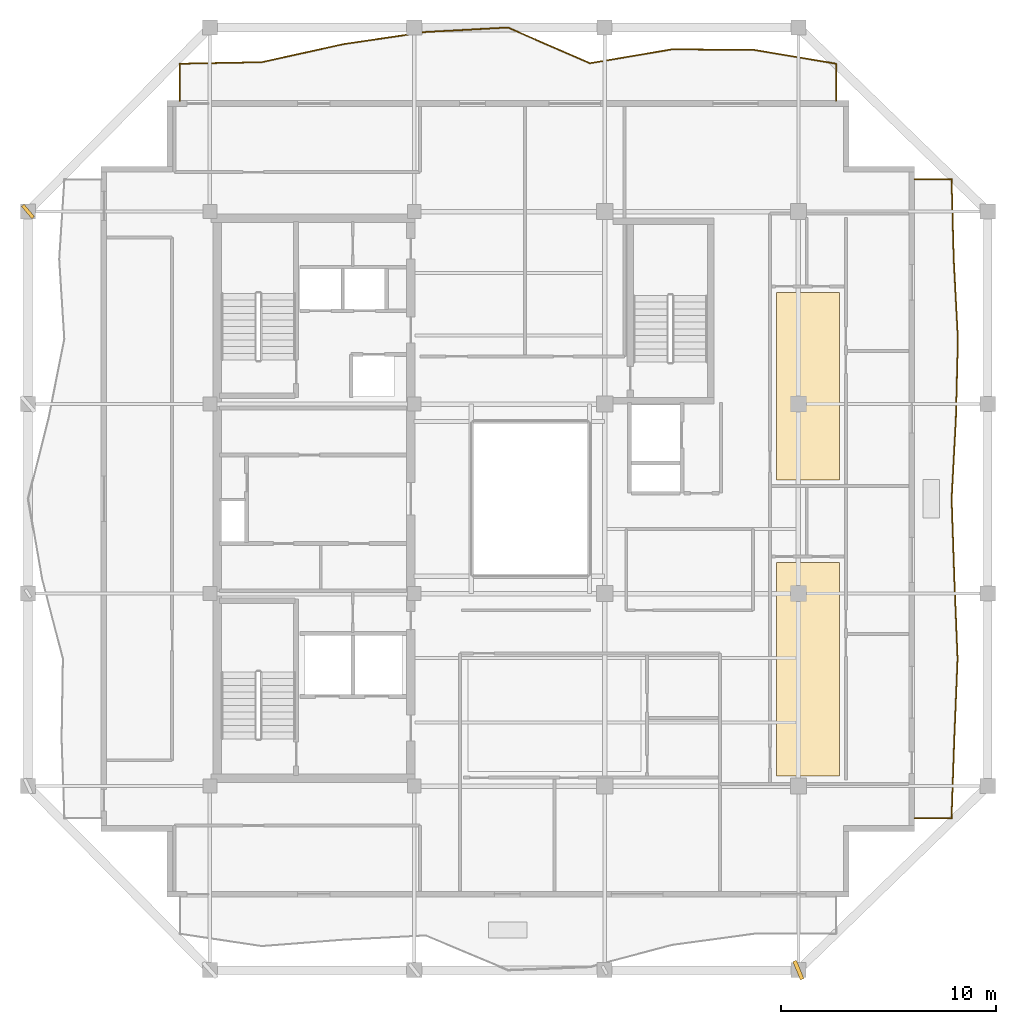
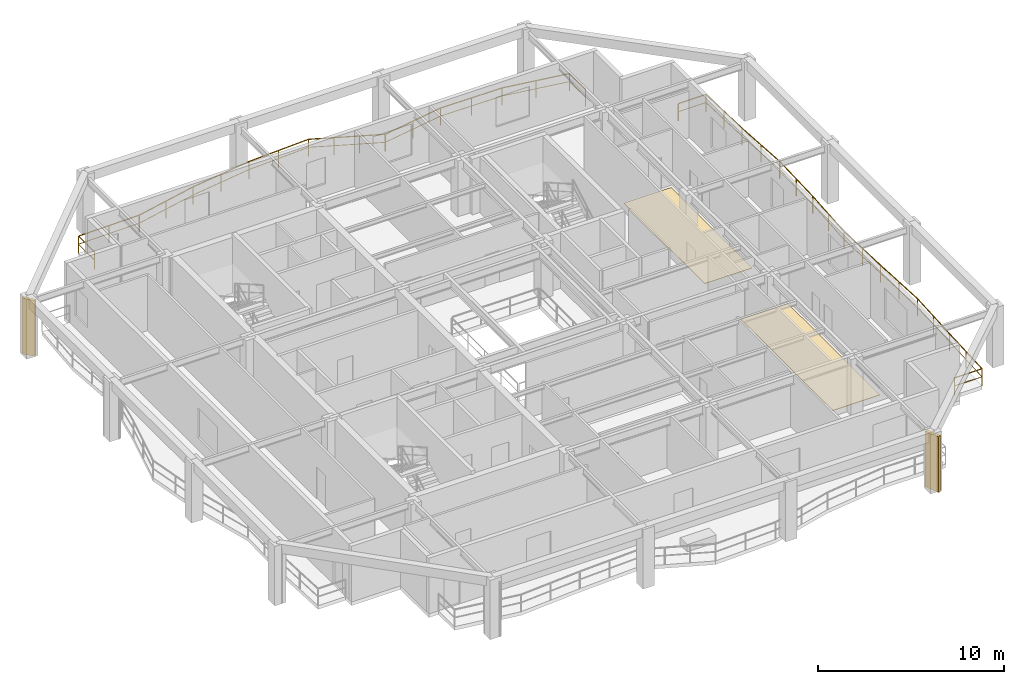
# One storey, part 9 of 10: 2 coverings, 2 railings, 2 shading devices.
"""IFC4 building model written with IfcOpenShell, lengths in metres."""

from ifc_helpers import new_model, si_unit, direction, frame, origin, origin_2d, place, context, subcontext, project, spatial, polyline, rectangle, outline, extrude, material, layer, layer_set, type_object, element, save


model = new_model("IFC4")

# Units and contexts
model_context = context("Model", 3, precision=1e-05, world=origin(), true_north=direction((0.0, 1.0)))
body_context = subcontext(model_context, "Body", "Model", "MODEL_VIEW")
ifc_project = project(units=[si_unit("LENGTHUNIT", "METRE"), si_unit("AREAUNIT", "SQUARE_METRE"), si_unit("VOLUMEUNIT", "CUBIC_METRE"), si_unit("PLANEANGLEUNIT", "RADIAN"), si_unit("MASSUNIT", "GRAM", prefix="KILO")], contexts=[model_context])

# Site, building, storey
site_placement = place(None, origin())
site = spatial("IfcSite", under=ifc_project, at=site_placement, CompositionType="ELEMENT")
building_placement = place(site_placement, origin())
building = spatial("IfcBuilding", under=site, at=building_placement, Name="Kundavana Baori Tower", CompositionType="ELEMENT")
storey_placement = place(building_placement, frame((0.0, 0.0, 296.0)))
storey = spatial("IfcBuildingStorey", under=building, at=storey_placement, Name="L73", CompositionType="ELEMENT", Elevation=296.0)

# Coverings
ifc_material_1 = material(Name="Honed Kota Stone and Terrazzo Flooring", Category="masonry")
ifc_layer = layer(ifc_material_1, 0.030029296875, Name="COV-INT-FLR")
ifc_layer_set = layer_set([ifc_layer], Name="Honed Kota Stone and Terrazzo Flooring")
covering_type = type_object("IfcCoveringType", Name="COV-INT-FLR", PredefinedType="FLOORING", material=ifc_layer_set)
covering_1_placement = place(storey_placement, origin())
element("IfcCovering", 1, at=covering_1_placement, inside=storey, type_object=covering_type, Name="L73 Room Finished Stone Flooring 2", PredefinedType="FLOORING", context=body_context, shape_type="SweptSolid", body=[
    extrude(outline(polyline([(41.780029296875, 15.72998046875), (44.719970703125, 15.72998046875), (44.719970703125, 25.639892578125), (41.780029296875, 25.639892578125), (41.780029296875, 15.72998046875)])), origin(), (0.0, 0.0, 1.0), 0.030029296875),
])
covering_2_placement = place(storey_placement, origin())
element("IfcCovering", 2, at=covering_2_placement, inside=storey, type_object=covering_type, Name="L73 Room Finished Stone Flooring 3", PredefinedType="FLOORING", context=body_context, shape_type="SweptSolid", body=[
    extrude(outline(polyline([(41.780029296875, 29.47998046875), (44.719970703125, 29.47998046875), (44.719970703125, 38.18994140625), (41.780029296875, 38.18994140625), (41.780029296875, 29.47998046875)])), origin(), (0.0, 0.0, 1.0), 0.030029296875),
])

# Railings
ifc_material_2 = material(Name="Architectural Patinated Bronze Metalwork")
railing_type = type_object("IfcRailingType", Name="RL-BAL-1150", PredefinedType="BALUSTRADE", material=ifc_material_2)
railing_1_placement = place(storey_placement, frame((48.199951171875, 43.449951171875, 0.0)))
element("IfcRailing", 3, at=railing_1_placement, inside=storey, type_object=railing_type, Name="L73 Loggia Balcony Balustrade E", PredefinedType="BALUSTRADE", context=body_context, shape_type="SweptSolid", body=[
    extrude(rectangle(XDim=0.048095703125, YDim=0.048095703125, at=origin_2d()), frame((0.0, 0.0, 1.1259765625), z_axis=(1.0, 0.0, 0.0), x_axis=(0.0, 1.0, 0.0)), (0.0, 0.0, 1.0), 1.719970703125),
    extrude(rectangle(XDim=0.03125, YDim=0.03125, at=origin_2d()), frame((0.0, 0.0, 0.597900390625), z_axis=(1.0, 0.0, 0.0), x_axis=(0.0, 1.0, 0.0)), (0.0, 0.0, 1.0), 1.719970703125),
    extrude(rectangle(XDim=0.048095703125, YDim=0.048095703125, at=origin_2d()), frame((1.719970703125, 0.0, 1.1259765625), z_axis=(0.027219587217, -0.999629478393, 0.0), x_axis=(0.999629478393, 0.027219587217, 0.0)), (0.0, 0.0, 1.0), 3.71337890625),
    extrude(rectangle(XDim=0.03125, YDim=0.03125, at=origin_2d()), frame((1.719970703125, 0.0, 0.597900390625), z_axis=(0.027219587217, -0.999629478393, 0.0), x_axis=(0.999629478393, 0.027219587217, 0.0)), (0.0, 0.0, 1.0), 3.71337890625),
    extrude(rectangle(XDim=0.048095703125, YDim=0.048095703125, at=origin_2d()), frame((1.821044921875, -3.7119140625, 1.1259765625), z_axis=(0.052462338074, -0.998622903344, 0.0), x_axis=(0.998622903344, 0.052462338074, 0.0)), (0.0, 0.0, 1.0), 3.71826171875),
    extrude(rectangle(XDim=0.03125, YDim=0.03125, at=origin_2d()), frame((1.821044921875, -3.7119140625, 0.597900390625), z_axis=(0.052462338074, -0.998622903344, 0.0), x_axis=(0.998622903344, 0.052462338074, 0.0)), (0.0, 0.0, 1.0), 3.71826171875),
    extrude(rectangle(XDim=0.048095703125, YDim=0.048095703125, at=origin_2d()), frame((2.01611328125, -7.425048828125, 1.1259765625), z_axis=(-0.025307515105, -0.999679713548, 0.0), x_axis=(0.999679713548, -0.025307515105, 0.0)), (0.0, 0.0, 1.0), 3.714111328125),
    extrude(rectangle(XDim=0.03125, YDim=0.03125, at=origin_2d()), frame((2.01611328125, -7.425048828125, 0.597900390625), z_axis=(-0.025307515105, -0.999679713548, 0.0), x_axis=(0.999679713548, -0.025307515105, 0.0)), (0.0, 0.0, 1.0), 3.714111328125),
    extrude(rectangle(XDim=0.048095703125, YDim=0.048095703125, at=origin_2d()), frame((1.922119140625, -11.137939453125, 1.1259765625), z_axis=(-0.053265502015, -0.998580385495, 0.0), x_axis=(0.998580385495, -0.053265502015, 0.0)), (0.0, 0.0, 1.0), 3.71728515625),
    extrude(rectangle(XDim=0.03125, YDim=0.03125, at=origin_2d()), frame((1.922119140625, -11.137939453125, 0.597900390625), z_axis=(-0.053265502015, -0.998580385495, 0.0), x_axis=(0.998580385495, -0.053265502015, 0.0)), (0.0, 0.0, 1.0), 3.71728515625),
    extrude(rectangle(XDim=0.048095703125, YDim=0.048095703125, at=origin_2d()), frame((1.72412109375, -14.849853515625, 1.1259765625), z_axis=(0.033654059412, -0.999433541705, 0.0), x_axis=(0.999433541705, 0.033654059412, 0.0)), (0.0, 0.0, 1.0), 3.71435546875),
    extrude(rectangle(XDim=0.03125, YDim=0.03125, at=origin_2d()), frame((1.72412109375, -14.849853515625, 0.597900390625), z_axis=(0.033654059412, -0.999433541705, 0.0), x_axis=(0.999433541705, 0.033654059412, 0.0)), (0.0, 0.0, 1.0), 3.71435546875),
    extrude(rectangle(XDim=0.048095703125, YDim=0.048095703125, at=origin_2d()), frame((1.84912109375, -18.56201171875, 1.1259765625), z_axis=(0.040602996544, -0.999175358319, 0.0), x_axis=(0.999175358319, 0.040602996544, 0.0)), (0.0, 0.0, 1.0), 3.716064453125),
    extrude(rectangle(XDim=0.03125, YDim=0.03125, at=origin_2d()), frame((1.84912109375, -18.56201171875, 0.597900390625), z_axis=(0.040602996544, -0.999175358319, 0.0), x_axis=(0.999175358319, 0.040602996544, 0.0)), (0.0, 0.0, 1.0), 3.716064453125),
    extrude(rectangle(XDim=0.048095703125, YDim=0.048095703125, at=origin_2d()), frame((2.0, -22.27490234375, 1.1259765625), z_axis=(-0.040862679212, -0.999164771921, 0.0), x_axis=(0.999164771921, -0.040862679212, 0.0)), (0.0, 0.0, 1.0), 3.71630859375),
    extrude(rectangle(XDim=0.03125, YDim=0.03125, at=origin_2d()), frame((2.0, -22.27490234375, 0.597900390625), z_axis=(-0.040862679212, -0.999164771921, 0.0), x_axis=(0.999164771921, -0.040862679212, 0.0)), (0.0, 0.0, 1.0), 3.71630859375),
    extrude(rectangle(XDim=0.048095703125, YDim=0.048095703125, at=origin_2d()), frame((1.84814453125, -25.988037109375, 1.1259765625), z_axis=(-0.034509819019, -0.999404358801, 0.0), x_axis=(0.999404358801, -0.034509819019, 0.0)), (0.0, 0.0, 1.0), 3.714111328125),
    extrude(rectangle(XDim=0.03125, YDim=0.03125, at=origin_2d()), frame((1.84814453125, -25.988037109375, 0.597900390625), z_axis=(-0.034509819019, -0.999404358801, 0.0), x_axis=(0.999404358801, -0.034509819019, 0.0)), (0.0, 0.0, 1.0), 3.714111328125),
    extrude(rectangle(XDim=0.048095703125, YDim=0.048095703125, at=origin_2d()), frame((1.719970703125, -29.699951171875, 1.1259765625), z_axis=(-1.0, 0.0, 0.0), x_axis=(0.0, -1.0, 0.0)), (0.0, 0.0, 1.0), 1.719970703125),
    extrude(rectangle(XDim=0.03125, YDim=0.03125, at=origin_2d()), frame((1.719970703125, -29.699951171875, 0.597900390625), z_axis=(-1.0, 0.0, 0.0), x_axis=(0.0, -1.0, 0.0)), (0.0, 0.0, 1.0), 1.719970703125),
    extrude(rectangle(XDim=0.0419921875, YDim=0.0419921875, at=origin_2d()), origin(), (0.0, 0.0, 1.0), 1.101806640625),
    extrude(rectangle(XDim=0.0419921875, YDim=0.0419921875, at=origin_2d()), frame((1.719970703125, 0.0, 0.0)), (0.0, 0.0, 1.0), 1.101806640625),
    extrude(rectangle(XDim=0.0419921875, YDim=0.0419921875, at=origin_2d()), frame((1.7705078125, -1.85595703125, 0.0)), (0.0, 0.0, 1.0), 1.101806640625),
    extrude(rectangle(XDim=0.0419921875, YDim=0.0419921875, at=origin_2d()), frame((1.821044921875, -3.7119140625, 0.0)), (0.0, 0.0, 1.0), 1.101806640625),
    extrude(rectangle(XDim=0.0419921875, YDim=0.0419921875, at=origin_2d()), frame((1.91845703125, -5.568359375, 0.0)), (0.0, 0.0, 1.0), 1.101806640625),
    extrude(rectangle(XDim=0.0419921875, YDim=0.0419921875, at=origin_2d()), frame((2.01611328125, -7.425048828125, 0.0)), (0.0, 0.0, 1.0), 1.101806640625),
    extrude(rectangle(XDim=0.0419921875, YDim=0.0419921875, at=origin_2d()), frame((1.96923828125, -9.281494140625, 0.0)), (0.0, 0.0, 1.0), 1.101806640625),
    extrude(rectangle(XDim=0.0419921875, YDim=0.0419921875, at=origin_2d()), frame((1.922119140625, -11.137939453125, 0.0)), (0.0, 0.0, 1.0), 1.101806640625),
    extrude(rectangle(XDim=0.0419921875, YDim=0.0419921875, at=origin_2d()), frame((1.8232421875, -12.993896484375, 0.0)), (0.0, 0.0, 1.0), 1.101806640625),
    extrude(rectangle(XDim=0.0419921875, YDim=0.0419921875, at=origin_2d()), frame((1.72412109375, -14.849853515625, 0.0)), (0.0, 0.0, 1.0), 1.101806640625),
    extrude(rectangle(XDim=0.0419921875, YDim=0.0419921875, at=origin_2d()), frame((1.78662109375, -16.7060546875, 0.0)), (0.0, 0.0, 1.0), 1.101806640625),
    extrude(rectangle(XDim=0.0419921875, YDim=0.0419921875, at=origin_2d()), frame((1.84912109375, -18.56201171875, 0.0)), (0.0, 0.0, 1.0), 1.101806640625),
    extrude(rectangle(XDim=0.0419921875, YDim=0.0419921875, at=origin_2d()), frame((1.924560546875, -20.41845703125, 0.0)), (0.0, 0.0, 1.0), 1.101806640625),
    extrude(rectangle(XDim=0.0419921875, YDim=0.0419921875, at=origin_2d()), frame((2.0, -22.27490234375, 0.0)), (0.0, 0.0, 1.0), 1.101806640625),
    extrude(rectangle(XDim=0.0419921875, YDim=0.0419921875, at=origin_2d()), frame((1.924072265625, -24.13134765625, 0.0)), (0.0, 0.0, 1.0), 1.101806640625),
    extrude(rectangle(XDim=0.0419921875, YDim=0.0419921875, at=origin_2d()), frame((1.84814453125, -25.988037109375, 0.0)), (0.0, 0.0, 1.0), 1.101806640625),
    extrude(rectangle(XDim=0.0419921875, YDim=0.0419921875, at=origin_2d()), frame((1.7841796875, -27.843994140625, 0.0)), (0.0, 0.0, 1.0), 1.101806640625),
    extrude(rectangle(XDim=0.0419921875, YDim=0.0419921875, at=origin_2d()), frame((1.719970703125, -29.699951171875, 0.0)), (0.0, 0.0, 1.0), 1.101806640625),
    extrude(rectangle(XDim=0.0419921875, YDim=0.0419921875, at=origin_2d()), frame((0.0, -29.699951171875, 0.0)), (0.0, 0.0, 1.0), 1.101806640625),
])
railing_2_placement = place(storey_placement, frame((14.050048828125, 47.10009765625, 0.0)))
element("IfcRailing", 4, at=railing_2_placement, inside=storey, type_object=railing_type, Name="L73 Loggia Balcony Balustrade N", PredefinedType="BALUSTRADE", context=body_context, shape_type="SweptSolid", body=[
    extrude(rectangle(XDim=0.048095703125, YDim=0.048095703125, at=origin_2d()), frame((0.0, 0.0, 1.1259765625), z_axis=(0.0, 1.0, 0.0), x_axis=(-1.0, 0.0, 0.0)), (0.0, 0.0, 1.0), 1.719970703125),
    extrude(rectangle(XDim=0.03125, YDim=0.03125, at=origin_2d()), frame((0.0, 0.0, 0.597900390625), z_axis=(0.0, 1.0, 0.0), x_axis=(-1.0, 0.0, 0.0)), (0.0, 0.0, 1.0), 1.719970703125),
    extrude(rectangle(XDim=0.048095703125, YDim=0.048095703125, at=origin_2d()), frame((0.0, 1.719970703125, 1.1259765625), z_axis=(0.999826463, 0.01862911389, 0.0), x_axis=(-0.01862911389, 0.999826463, 0.0)), (0.0, 0.0, 1.0), 3.813720703125),
    extrude(rectangle(XDim=0.03125, YDim=0.03125, at=origin_2d()), frame((0.0, 1.719970703125, 0.597900390625), z_axis=(0.999826463, 0.01862911389, 0.0), x_axis=(-0.01862911389, 0.999826463, 0.0)), (0.0, 0.0, 1.0), 3.813720703125),
    extrude(rectangle(XDim=0.048095703125, YDim=0.048095703125, at=origin_2d()), frame((3.81298828125, 1.791015625, 1.1259765625), z_axis=(0.976527255761, 0.21539386889, 0.0), x_axis=(-0.21539386889, 0.976527255761, 0.0)), (0.0, 0.0, 1.0), 3.903564453125),
    extrude(rectangle(XDim=0.03125, YDim=0.03125, at=origin_2d()), frame((3.81298828125, 1.791015625, 0.597900390625), z_axis=(0.976527255761, 0.21539386889, 0.0), x_axis=(-0.21539386889, 0.976527255761, 0.0)), (0.0, 0.0, 1.0), 3.903564453125),
    extrude(rectangle(XDim=0.048095703125, YDim=0.048095703125, at=origin_2d()), frame((7.625, 2.6318359375, 1.1259765625), z_axis=(0.989342496908, 0.145607087095, 0.0), x_axis=(-0.145607087095, 0.989342496908, 0.0)), (0.0, 0.0, 1.0), 3.85302734375),
    extrude(rectangle(XDim=0.03125, YDim=0.03125, at=origin_2d()), frame((7.625, 2.6318359375, 0.597900390625), z_axis=(0.989342496908, 0.145607087095, 0.0), x_axis=(-0.145607087095, 0.989342496908, 0.0)), (0.0, 0.0, 1.0), 3.85302734375),
    extrude(rectangle(XDim=0.048095703125, YDim=0.048095703125, at=origin_2d()), frame((11.43701171875, 3.19287109375, 1.1259765625), z_axis=(0.998529205788, 0.054216466033, 0.0), x_axis=(-0.054216466033, 0.998529205788, 0.0)), (0.0, 0.0, 1.0), 3.818603515625),
    extrude(rectangle(XDim=0.03125, YDim=0.03125, at=origin_2d()), frame((11.43701171875, 3.19287109375, 0.597900390625), z_axis=(0.998529205788, 0.054216466033, 0.0), x_axis=(-0.054216466033, 0.998529205788, 0.0)), (0.0, 0.0, 1.0), 3.818603515625),
    extrude(rectangle(XDim=0.048095703125, YDim=0.048095703125, at=origin_2d()), frame((15.25, 3.39990234375, 1.1259765625), z_axis=(0.916934627434, -0.399037453145, 0.0), x_axis=(0.399037453145, 0.916934627434, 0.0)), (0.0, 0.0, 1.0), 4.1572265625),
    extrude(rectangle(XDim=0.03125, YDim=0.03125, at=origin_2d()), frame((15.25, 3.39990234375, 0.597900390625), z_axis=(0.916934627434, -0.399037453145, 0.0), x_axis=(0.399037453145, 0.916934627434, 0.0)), (0.0, 0.0, 1.0), 4.1572265625),
    extrude(rectangle(XDim=0.048095703125, YDim=0.048095703125, at=origin_2d()), frame((19.06201171875, 1.740966796875, 1.1259765625), z_axis=(0.985908573914, 0.167285037833, 0.0), x_axis=(-0.167285037833, 0.985908573914, 0.0)), (0.0, 0.0, 1.0), 3.867431640625),
    extrude(rectangle(XDim=0.03125, YDim=0.03125, at=origin_2d()), frame((19.06201171875, 1.740966796875, 0.597900390625), z_axis=(0.985908573914, 0.167285037833, 0.0), x_axis=(-0.167285037833, 0.985908573914, 0.0)), (0.0, 0.0, 1.0), 3.867431640625),
    extrude(rectangle(XDim=0.048095703125, YDim=0.048095703125, at=origin_2d()), frame((22.875, 2.387939453125, 1.1259765625), z_axis=(0.999978242854, -0.006596500513, 0.0), x_axis=(0.006596500513, 0.999978242854, 0.0)), (0.0, 0.0, 1.0), 3.81201171875),
    extrude(rectangle(XDim=0.03125, YDim=0.03125, at=origin_2d()), frame((22.875, 2.387939453125, 0.597900390625), z_axis=(0.999978242854, -0.006596500513, 0.0), x_axis=(0.006596500513, 0.999978242854, 0.0)), (0.0, 0.0, 1.0), 3.81201171875),
    extrude(rectangle(XDim=0.048095703125, YDim=0.048095703125, at=origin_2d()), frame((26.68701171875, 2.36279296875, 1.1259765625), z_axis=(0.986085045676, -0.166241639471, 0.0), x_axis=(0.166241639471, 0.986085045676, 0.0)), (0.0, 0.0, 1.0), 3.86669921875),
    extrude(rectangle(XDim=0.03125, YDim=0.03125, at=origin_2d()), frame((26.68701171875, 2.36279296875, 0.597900390625), z_axis=(0.986085045676, -0.166241639471, 0.0), x_axis=(0.166241639471, 0.986085045676, 0.0)), (0.0, 0.0, 1.0), 3.86669921875),
    extrude(rectangle(XDim=0.048095703125, YDim=0.048095703125, at=origin_2d()), frame((30.5, 1.719970703125, 1.1259765625), z_axis=(0.0, -1.0, 0.0), x_axis=(1.0, 0.0, 0.0)), (0.0, 0.0, 1.0), 1.719970703125),
    extrude(rectangle(XDim=0.03125, YDim=0.03125, at=origin_2d()), frame((30.5, 1.719970703125, 0.597900390625), z_axis=(0.0, -1.0, 0.0), x_axis=(1.0, 0.0, 0.0)), (0.0, 0.0, 1.0), 1.719970703125),
    extrude(rectangle(XDim=0.0419921875, YDim=0.0419921875, at=origin_2d()), origin(), (0.0, 0.0, 1.0), 1.101806640625),
    extrude(rectangle(XDim=0.0419921875, YDim=0.0419921875, at=origin_2d()), frame((0.0, 1.719970703125, 0.0)), (0.0, 0.0, 1.0), 1.101806640625),
    extrude(rectangle(XDim=0.0419921875, YDim=0.0419921875, at=origin_2d()), frame((1.906494140625, 1.75537109375, 0.0)), (0.0, 0.0, 1.0), 1.101806640625),
    extrude(rectangle(XDim=0.0419921875, YDim=0.0419921875, at=origin_2d()), frame((3.81298828125, 1.791015625, 0.0)), (0.0, 0.0, 1.0), 1.101806640625),
    extrude(rectangle(XDim=0.0419921875, YDim=0.0419921875, at=origin_2d()), frame((5.718994140625, 2.21142578125, 0.0)), (0.0, 0.0, 1.0), 1.101806640625),
    extrude(rectangle(XDim=0.0419921875, YDim=0.0419921875, at=origin_2d()), frame((7.625, 2.6318359375, 0.0)), (0.0, 0.0, 1.0), 1.101806640625),
    extrude(rectangle(XDim=0.0419921875, YDim=0.0419921875, at=origin_2d()), frame((9.531005859375, 2.912353515625, 0.0)), (0.0, 0.0, 1.0), 1.101806640625),
    extrude(rectangle(XDim=0.0419921875, YDim=0.0419921875, at=origin_2d()), frame((11.43701171875, 3.19287109375, 0.0)), (0.0, 0.0, 1.0), 1.101806640625),
    extrude(rectangle(XDim=0.0419921875, YDim=0.0419921875, at=origin_2d()), frame((13.343505859375, 3.29638671875, 0.0)), (0.0, 0.0, 1.0), 1.101806640625),
    extrude(rectangle(XDim=0.0419921875, YDim=0.0419921875, at=origin_2d()), frame((15.25, 3.39990234375, 0.0)), (0.0, 0.0, 1.0), 1.101806640625),
    extrude(rectangle(XDim=0.0419921875, YDim=0.0419921875, at=origin_2d()), frame((16.520751953125, 2.846923828125, 0.0)), (0.0, 0.0, 1.0), 1.101806640625),
    extrude(rectangle(XDim=0.0419921875, YDim=0.0419921875, at=origin_2d()), frame((17.791259765625, 2.2939453125, 0.0)), (0.0, 0.0, 1.0), 1.101806640625),
    extrude(rectangle(XDim=0.0419921875, YDim=0.0419921875, at=origin_2d()), frame((19.06201171875, 1.740966796875, 0.0)), (0.0, 0.0, 1.0), 1.101806640625),
    extrude(rectangle(XDim=0.0419921875, YDim=0.0419921875, at=origin_2d()), frame((20.968505859375, 2.064453125, 0.0)), (0.0, 0.0, 1.0), 1.101806640625),
    extrude(rectangle(XDim=0.0419921875, YDim=0.0419921875, at=origin_2d()), frame((22.875, 2.387939453125, 0.0)), (0.0, 0.0, 1.0), 1.101806640625),
    extrude(rectangle(XDim=0.0419921875, YDim=0.0419921875, at=origin_2d()), frame((24.781005859375, 2.37548828125, 0.0)), (0.0, 0.0, 1.0), 1.101806640625),
    extrude(rectangle(XDim=0.0419921875, YDim=0.0419921875, at=origin_2d()), frame((26.68701171875, 2.36279296875, 0.0)), (0.0, 0.0, 1.0), 1.101806640625),
    extrude(rectangle(XDim=0.0419921875, YDim=0.0419921875, at=origin_2d()), frame((28.593505859375, 2.04150390625, 0.0)), (0.0, 0.0, 1.0), 1.101806640625),
    extrude(rectangle(XDim=0.0419921875, YDim=0.0419921875, at=origin_2d()), frame((30.5, 1.719970703125, 0.0)), (0.0, 0.0, 1.0), 1.101806640625),
    extrude(rectangle(XDim=0.0419921875, YDim=0.0419921875, at=origin_2d()), frame((30.5, 0.0, 0.0)), (0.0, 0.0, 1.0), 1.101806640625),
])

# Shading devices
ifc_material_3 = material(Name="Red-Buff Dholpur Sandstone Cladding on Concrete C40/50", Category="masonry")
shading_device_type_1 = type_object("IfcShadingDeviceType", Name="SHD-FIN-750", PredefinedType="JALOUSIE", material=ifc_material_3)
shading_device_1_placement = place(storey_placement, frame((7.0, 41.949951171875, 0.0), z_axis=(0.0, 0.0, 1.0), x_axis=(0.760859180527, 0.648917026597, 0.0)))
element("IfcShadingDevice", 5, at=shading_device_1_placement, inside=storey, type_object=shading_device_type_1, Name="L73 Sweeping Dholpur Sandstone Facade Fin 8", PredefinedType="JALOUSIE", context=body_context, shape_type="SweptSolid", body=[
    extrude(rectangle(XDim=0.159912109375, YDim=0.75, at=origin_2d()), origin(), (0.0, 0.0, 1.0), 3.659912109375),
])
ifc_material_4 = material(Name="Red-Buff Dholpur Sandstone Cladding on Concrete C40/50", Category="masonry")
shading_device_type_2 = type_object("IfcShadingDeviceType", Name="SHD-FIN-920", PredefinedType="JALOUSIE", material=ifc_material_4)
shading_device_2_placement = place(storey_placement, frame((42.800048828125, 6.699951171875, 0.0), z_axis=(0.0, 0.0, 1.0), x_axis=(0.924346378904, 0.381554415263, 0.0)))
element("IfcShadingDevice", 6, at=shading_device_2_placement, inside=storey, type_object=shading_device_type_2, Name="L73 Sweeping Dholpur Sandstone Facade Fin 4", PredefinedType="JALOUSIE", context=body_context, shape_type="SweptSolid", body=[
    extrude(rectangle(XDim=0.179931640625, YDim=0.919921875, at=origin_2d()), origin(), (0.0, 0.0, 1.0), 3.659912109375),
])

save(model, "model.ifc")
